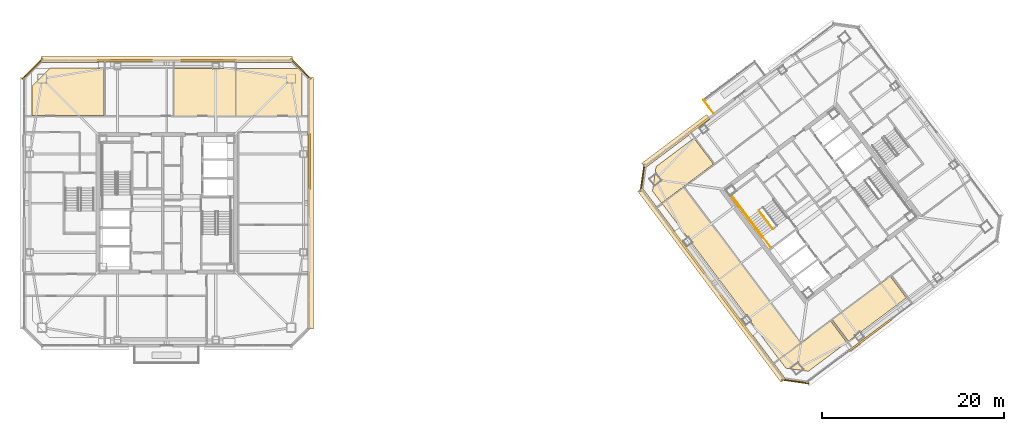
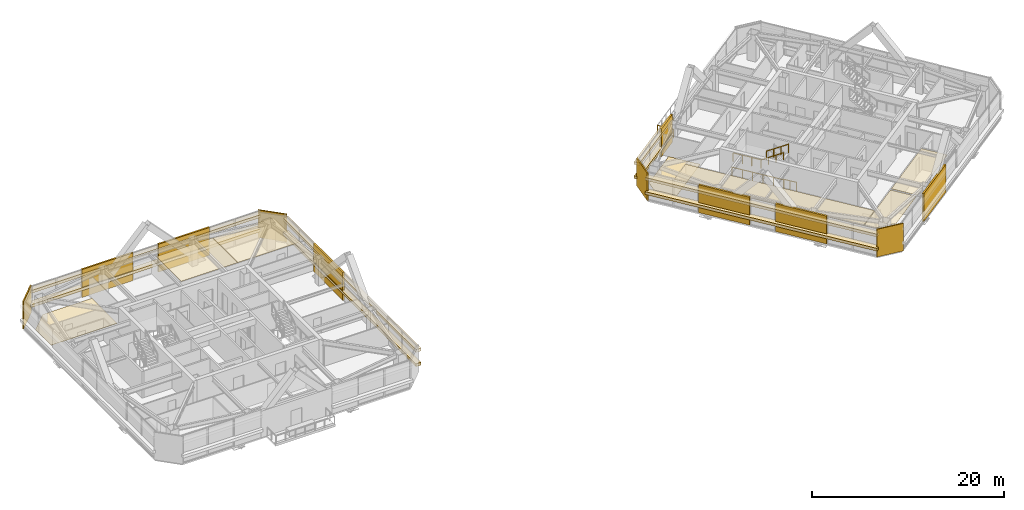
# One storey, part 37 of 39: 26 coverings, 6 railings.
"""IFC4 building model written with IfcOpenShell, lengths in metres."""

from ifc_helpers import new_model, si_unit, direction, frame, origin, origin_2d, place, context, subcontext, project, spatial, polyline, rectangle, outline, extrude, material, layer, layer_set, type_object, element, save


model = new_model("IFC4")

# Units and contexts
model_context = context("Model", 3, precision=1e-05, world=origin(), true_north=direction((0.0, 1.0)))
body_context = subcontext(model_context, "Body", "Model", "MODEL_VIEW")
ifc_project = project(units=[si_unit("LENGTHUNIT", "METRE"), si_unit("AREAUNIT", "SQUARE_METRE"), si_unit("VOLUMEUNIT", "CUBIC_METRE"), si_unit("PLANEANGLEUNIT", "RADIAN"), si_unit("MASSUNIT", "GRAM", prefix="KILO")], contexts=[model_context])

# Site, building, storey
site_placement = place(None, origin())
site = spatial("IfcSite", under=ifc_project, at=site_placement, CompositionType="ELEMENT")
building_placement = place(site_placement, origin())
building = spatial("IfcBuilding", under=site, at=building_placement, Name="Tashvorn Skyway Center", CompositionType="ELEMENT")
storey_placement = place(building_placement, frame((0.0, 0.0, 239.699951171875)))
storey = spatial("IfcBuildingStorey", under=building, at=storey_placement, Name="L65", CompositionType="ELEMENT", Elevation=239.699951171875)

# Coverings
ifc_material_1 = material(Name="Precast concrete C40/50", Category="concrete")
ifc_layer_1 = layer(ifc_material_1, 0.199951171875)
ifc_layer_set_1 = layer_set([ifc_layer_1], Name="Precast concrete C40/50")
covering_type_1 = type_object("IfcCoveringType", Name="COV-BRACE-CLAD", PredefinedType="CLADDING", material=ifc_layer_set_1)
for number, where, z_axis, x_axis, name in (
    (1, (37.40673828125, 47.679931640625, 0.0), (0.0, 0.0, 1.0), (1.0, 0.0, 0.0), "Tower 1 L65 North Unitised Curtain Wall Mega-Brace Cladding Band 1"),
    (2, (46.59326171875, 47.679931640625, 0.0), (0.0, 0.0, 1.0), (1.0, 0.0, 0.0), "Tower 1 L65 North Unitised Curtain Wall Mega-Brace Cladding Band 2"),
    (3, (57.679931640625, 36.59326171875, 0.0), (0.0, 0.0, 1.0), (0.0, -1.0, 0.0), "Tower 1 L65 East Unitised Curtain Wall Mega-Brace Cladding Band 1"),
):
    element("IfcCovering", number, at=place(storey_placement, frame(where, z_axis=z_axis, x_axis=x_axis)), inside=storey, type_object=covering_type_1, Name=name, PredefinedType="CLADDING", context=body_context, shape_type="SweptSolid", body=[
        extrude(rectangle(XDim=6.12451171875, YDim=0.199951171875, at=origin_2d()), origin(), (0.0, 0.0, 1.0), 3.550048828125),
    ])
for number, where, z_axis, x_axis, name in (
    (4, (119.43994140625, 17.47998046875, 0.0), (0.0, 0.0, 1.0), (-0.799999996291, -0.600000004945, 0.0), "Tower 2 L65 South Unitised Curtain Wall Mega-Brace Cladding Band 2"),
    (5, (104.7119140625, 19.583984375, 0.0), (0.0, 0.0, 1.0), (-0.600000004945, 0.799999996291, 0.0), "Tower 2 L65 West Unitised Curtain Wall Mega-Brace Cladding Band 1"),
    (6, (99.47998046875, 26.56005859375, 0.0), (0.0, 0.0, 1.0), (-0.600000004945, 0.799999996291, 0.0), "Tower 2 L65 West Unitised Curtain Wall Mega-Brace Cladding Band 2"),
):
    element("IfcCovering", number, at=place(storey_placement, frame(where, z_axis=z_axis, x_axis=x_axis)), inside=storey, type_object=covering_type_1, Name=name, PredefinedType="CLADDING", context=body_context, shape_type="SweptSolid", body=[
        extrude(rectangle(XDim=5.813232421875, YDim=0.199951171875, at=origin_2d()), origin(), (0.0, 0.0, 1.0), 3.550048828125),
    ])
covering_1_placement = place(storey_placement, frame((100.49462890625, 40.470947265625, 0.0), z_axis=(0.0, 0.0, 1.0), x_axis=(0.799999996291, 0.600000004945, 0.0)))
element("IfcCovering", 7, at=covering_1_placement, inside=storey, type_object=covering_type_1, Name="Tower 2 L65 North Curtain Wall L Mega-Brace Cladding Band 1", PredefinedType="CLADDING", context=body_context, shape_type="SweptSolid", body=[
    extrude(rectangle(XDim=2.943359375, YDim=0.199951171875, at=origin_2d()), origin(), (0.0, 0.0, 1.0), 3.550048828125),
])
ifc_material_2 = material(Name="Mineral-fibre acoustic ceiling tile on suspended grid")
ifc_layer_2 = layer(ifc_material_2, 0.02001953125)
ifc_layer_set_2 = layer_set([ifc_layer_2], Name="Mineral-fibre acoustic ceiling tile on suspended grid")
covering_type_2 = type_object("IfcCoveringType", Name="COV-CEIL-20", PredefinedType="CEILING", material=ifc_layer_set_2)
covering_2_placement = place(storey_placement, frame((0.0, 0.0, 2.703125)))
element("IfcCovering", 8, at=covering_2_placement, inside=storey, type_object=covering_type_2, Name="Tower 1 L65 Corporate Office Acoustic Ceiling", PredefinedType="CEILING", context=body_context, shape_type="SweptSolid", body=[
    extrude(outline(polyline([(42.800048828125, 41.570068359375), (49.60009765625, 41.570068359375), (49.60009765625, 46.800048828125), (42.800048828125, 46.800048828125), (42.800048828125, 41.570068359375)])), origin(), (0.0, 0.0, 1.0), 0.02001953125),
])
covering_3_placement = place(storey_placement, frame((0.0, 0.0, 2.703125)))
element("IfcCovering", 9, at=covering_3_placement, inside=storey, type_object=covering_type_2, Name="Tower 1 L65 Conference Room Acoustic Ceiling", PredefinedType="CEILING", context=body_context, shape_type="SweptSolid", body=[
    extrude(outline(polyline([(49.60009765625, 41.570068359375), (56.89990234375, 41.570068359375), (56.89990234375, 46.800048828125), (49.60009765625, 46.800048828125), (49.60009765625, 41.570068359375)])), origin(), (0.0, 0.0, 1.0), 0.02001953125),
])
covering_4_placement = place(storey_placement, frame((0.0, 0.0, 2.703125)))
element("IfcCovering", 10, at=covering_4_placement, inside=storey, type_object=covering_type_2, Name="Tower 2 L65 Gallery Showroom Acoustic Ceiling", PredefinedType="CEILING", context=body_context, shape_type="SweptSolid", body=[
    extrude(outline(polyline([(109.43994140625, 14.780029296875), (115.087890625, 19.01611328125), (116.85205078125, 16.6640625), (112.612060546875, 13.48388671875), (110.14794921875, 13.8359375), (109.43994140625, 14.780029296875)])), origin(), (0.0, 0.0, 1.0), 0.02001953125),
])
covering_5_placement = place(storey_placement, frame((0.0, 0.0, 2.703125)))
element("IfcCovering", 11, at=covering_5_placement, inside=storey, type_object=covering_type_2, Name="Tower 2 L65 Reading Lounge Acoustic Ceiling", PredefinedType="CEILING", context=body_context, shape_type="SweptSolid", body=[
    extrude(outline(polyline([(115.280029296875, 19.159912109375), (121.64794921875, 23.93603515625), (123.412109375, 21.583984375), (117.0439453125, 16.80810546875), (115.280029296875, 19.159912109375)])), origin(), (0.0, 0.0, 1.0), 0.02001953125),
])
covering_6_placement = place(storey_placement, frame((0.0, 0.0, 2.703125)))
element("IfcCovering", 12, at=covering_6_placement, inside=storey, type_object=covering_type_2, Name="Tower 2 L65 Public Restroom Acoustic Ceiling", PredefinedType="CEILING", context=body_context, shape_type="SweptSolid", body=[
    extrude(outline(polyline([(109.39990234375, 14.800048828125), (111.800048828125, 16.60009765625), (98.929931640625, 33.760009765625), (96.530029296875, 31.9599609375), (109.39990234375, 14.800048828125)])), origin(), (0.0, 0.0, 1.0), 0.02001953125),
])
ifc_material_3 = material(Name="Polished Mojave desert-aggregate terrazzo and cover plate")
ifc_layer_3 = layer(ifc_material_3, 0.0400390625)
ifc_layer_set_3 = layer_set([ifc_layer_3], Name="Polished Mojave desert-aggregate terrazzo and cover plate")
covering_type_3 = type_object("IfcCoveringType", Name="COV-FLR-40", PredefinedType="FLOORING", material=ifc_layer_set_3)
covering_7_placement = place(storey_placement, origin())
element("IfcCovering", 13, at=covering_7_placement, inside=storey, type_object=covering_type_3, Name="Tower 1 L65 Gallery Showroom Finish Flooring", PredefinedType="FLOORING", context=body_context, shape_type="SweptSolid", body=[
    extrude(outline(polyline([(35.1201171875, 41.64990234375), (27.179931640625, 41.64990234375), (27.179931640625, 44.8798828125), (29.199951171875, 46.89990234375), (35.1201171875, 46.89990234375), (35.1201171875, 41.64990234375)])), origin(), (0.0, 0.0, 1.0), 0.0400390625),
])
covering_8_placement = place(storey_placement, origin())
element("IfcCovering", 14, at=covering_8_placement, inside=storey, type_object=covering_type_3, Name="Tower 2 L65 Gallery Showroom Finish Flooring", PredefinedType="FLOORING", context=body_context, shape_type="SweptSolid", body=[
    extrude(outline(polyline([(102.177978515625, 36.2958984375), (96.466064453125, 32.011962890625), (95.47607421875, 33.33203125), (95.860107421875, 36.02001953125), (100.035888671875, 39.152099609375), (102.177978515625, 36.2958984375)])), origin(), (0.0, 0.0, 1.0), 0.0400390625),
])
ifc_material_4 = material(Name="Perforated ceramic-coated bronze aluminium solar screen", Category="aluminium")
ifc_layer_4 = layer(ifc_material_4, 0.85009765625)
ifc_layer_set_4 = layer_set([ifc_layer_4], Name="Perforated ceramic-coated bronze aluminium solar screen")
covering_type_4 = type_object("IfcCoveringType", Name="COV-SOLAR-BAND", PredefinedType="CLADDING", material=ifc_layer_set_4)
for number, where, z_axis, x_axis, name in (
    (15, (42.0, 47.820068359375, 0.919921875), (0.0, 0.0, 1.0), (1.0, 0.0, 0.0), "L65 Perforated Ceramic-Metal Solar Screen Louvre Band North 1"),
    (16, (42.0, 47.820068359375, 2.72021484375), (0.0, 0.0, 1.0), (1.0, 0.0, 0.0), "L65 Perforated Ceramic-Metal Solar Screen Louvre Band North 2"),
    (17, (57.820068359375, 32.0, 0.919921875), (0.0, 0.0, 1.0), (0.0, -1.0, 0.0), "L65 Perforated Ceramic-Metal Solar Screen Louvre Band East 1"),
    (18, (57.820068359375, 32.0, 2.72021484375), (0.0, 0.0, 1.0), (0.0, -1.0, 0.0), "L65 Perforated Ceramic-Metal Solar Screen Louvre Band East 2"),
):
    element("IfcCovering", number, at=place(storey_placement, frame(where, z_axis=z_axis, x_axis=x_axis)), inside=storey, type_object=covering_type_4, Name=name, PredefinedType="CLADDING", context=body_context, shape_type="SweptSolid", body=[
        extrude(rectangle(XDim=27.679931640625, YDim=0.639892578125, at=origin_2d()), origin(), (0.0, 0.0, 1.0), 0.360107421875),
    ])
for number, where, z_axis, x_axis, name in (
    (19, (101.98388671875, 22.988037109375, 0.919921875), (0.0, 0.0, 1.0), (-0.600000004945, 0.799999996291, 0.0), "L65 Perforated Ceramic-Metal Solar Screen Louvre Band West 1"),
    (20, (101.98388671875, 22.988037109375, 2.72021484375), (0.0, 0.0, 1.0), (-0.600000004945, 0.799999996291, 0.0), "L65 Perforated Ceramic-Metal Solar Screen Louvre Band West 2"),
):
    element("IfcCovering", number, at=place(storey_placement, frame(where, z_axis=z_axis, x_axis=x_axis)), inside=storey, type_object=covering_type_4, Name=name, PredefinedType="CLADDING", context=body_context, shape_type="SweptSolid", body=[
        extrude(rectangle(XDim=26.280029296875, YDim=0.639892578125, at=origin_2d()), origin(), (0.0, 0.0, 1.0), 0.360107421875),
    ])
for number, where, z_axis, x_axis, name in (
    (21, (98.055908203125, 38.81689453125, 0.919921875), (0.0, 0.0, 1.0), (0.799999996291, 0.600000004945, 0.0), "L65 Perforated Ceramic-Metal Solar Screen Louvre Band North 1"),
    (22, (98.055908203125, 38.81689453125, 2.72021484375), (0.0, 0.0, 1.0), (0.799999996291, 0.600000004945, 0.0), "L65 Perforated Ceramic-Metal Solar Screen Louvre Band North 2"),
):
    element("IfcCovering", number, at=place(storey_placement, frame(where, z_axis=z_axis, x_axis=x_axis)), inside=storey, type_object=covering_type_4, Name=name, PredefinedType="CLADDING", context=body_context, shape_type="SweptSolid", body=[
        extrude(rectangle(XDim=8.949951171875, YDim=0.639892578125, at=origin_2d()), origin(), (0.0, 0.0, 1.0), 0.360107421875),
    ])
ifc_layer_5 = layer(ifc_material_1, 0.35009765625)
ifc_layer_set_5 = layer_set([ifc_layer_5], Name="Precast concrete C40/50")
covering_type_5 = type_object("IfcCoveringType", Name="COV-STONE-TRIM", PredefinedType="CLADDING", material=ifc_layer_set_5)
for number, where, z_axis, x_axis, name in (
    (23, (27.22998046875, 46.77001953125, 0.02001953125), (0.0, 0.0, 1.0), (-0.707106781187, -0.707106781187, 0.0), "Tower 1 L65 NW Mojave Limestone Corner Quoin"),
    (24, (56.77001953125, 46.77001953125, 0.02001953125), (0.0, 0.0, 1.0), (0.707106781187, -0.707106781187, 0.0), "Tower 1 L65 NE Mojave Limestone Corner Quoin"),
):
    element("IfcCovering", number, at=place(storey_placement, frame(where, z_axis=z_axis, x_axis=x_axis)), inside=storey, type_object=covering_type_5, Name=name, PredefinedType="CLADDING", context=body_context, shape_type="SweptSolid", body=[
        extrude(rectangle(XDim=3.1298828125, YDim=0.139892578125, at=origin_2d()), origin(), (0.0, 0.0, 1.0), 3.510009765625),
    ])
for number, where, z_axis, x_axis, name in (
    (25, (111.196044921875, 12.3720703125, 0.02001953125), (0.0, 0.0, 1.0), (-0.989949494535, 0.141421350118, 0.0), "Tower 2 L65 SW Mojave Limestone Corner Quoin"),
    (26, (94.3720703125, 34.803955078125, 0.02001953125), (0.0, 0.0, 1.0), (-0.141421350118, -0.989949494535, 0.0), "Tower 2 L65 NW Mojave Limestone Corner Quoin"),
):
    element("IfcCovering", number, at=place(storey_placement, frame(where, z_axis=z_axis, x_axis=x_axis)), inside=storey, type_object=covering_type_5, Name=name, PredefinedType="CLADDING", context=body_context, shape_type="SweptSolid", body=[
        extrude(rectangle(XDim=2.98828125, YDim=0.139892578125, at=origin_2d()), origin(), (0.0, 0.0, 1.0), 3.510009765625),
    ])

# Railings
ifc_material_5 = material(Name="Galvanized steel S355", Category="steel")
railing_type_1 = type_object("IfcRailingType", Name="RAIL-GUARD-1120", PredefinedType="GUARDRAIL", material=ifc_material_5)
railing_1_placement = place(storey_placement, frame((102.18408203125, 41.887939453125, 0.0)))
element("IfcRailing", 27, at=railing_1_placement, inside=storey, type_object=railing_type_1, Name="L65 Tower 2 Terrace Guardrail 01", PredefinedType="GUARDRAIL", context=body_context, shape_type="SweptSolid", body=[
    extrude(rectangle(XDim=0.048095703125, YDim=0.048095703125, at=origin_2d()), frame((0.0, 0.0, 1.09619140625), z_axis=(-0.6, 0.8, 0.0), x_axis=(-0.8, -0.6, 0.0)), (0.0, 0.0, 1.0), 1.820068359375),
    extrude(rectangle(XDim=0.0419921875, YDim=0.0419921875, at=origin_2d()), origin(), (0.0, 0.0, 1.0), 1.072021484375),
    extrude(rectangle(XDim=0.0419921875, YDim=0.0419921875, at=origin_2d()), frame((-0.5458984375, 0.72802734375, 0.0)), (0.0, 0.0, 1.0), 1.072021484375),
    extrude(rectangle(XDim=0.0419921875, YDim=0.0419921875, at=origin_2d()), frame((-1.092041015625, 1.4560546875, 0.0)), (0.0, 0.0, 1.0), 1.072021484375),
])
ifc_material_6 = material(Name="Brushed stainless steel 316", Category="steel")
railing_type_2 = type_object("IfcRailingType", Name="RAIL-HAND-920", PredefinedType="HANDRAIL", material=ifc_material_6)
railing_2_placement = place(storey_placement, frame((106.072021484375, 30.35400390625, 1.95263671875)))
element("IfcRailing", 28, at=railing_2_placement, inside=storey, type_object=railing_type_2, Name="L65 ST-T2-1 stair handrail 2", PredefinedType="HANDRAIL", context=body_context, shape_type="SweptSolid", body=[
    extrude(rectangle(XDim=0.048095703125, YDim=0.048095703125, at=origin_2d()), frame((0.0, 0.0, 0.8759765625), z_axis=(0.506740800098, -0.675708949977, 0.535379469569), x_axis=(0.800023250257, 0.599968998406, 0.0)), (0.0, 0.0, 1.0), 2.983642578125),
    extrude(rectangle(XDim=0.0419921875, YDim=0.0419921875, at=origin_2d()), origin(), (0.0, 0.0, 1.0), 0.851806640625),
    extrude(rectangle(XDim=0.0419921875, YDim=0.0419921875, at=origin_2d()), frame((0.50390625, -0.672119140625, 0.532470703125)), (0.0, 0.0, 1.0), 0.851806640625),
    extrude(rectangle(XDim=0.0419921875, YDim=0.0419921875, at=origin_2d()), frame((1.008056640625, -1.343994140625, 1.06494140625)), (0.0, 0.0, 1.0), 0.851806640625),
    extrude(rectangle(XDim=0.0419921875, YDim=0.0419921875, at=origin_2d()), frame((1.511962890625, -2.01611328125, 1.597412109375)), (0.0, 0.0, 1.0), 0.851806640625),
])
ifc_material_7 = material(Name="Painted galvanized steel S355", Category="steel")
railing_type_3 = type_object("IfcRailingType", Name="RAIL-STGUARD-1100", PredefinedType="GUARDRAIL", material=ifc_material_7)
railing_3_placement = place(storey_placement, frame((106.072021484375, 30.35400390625, 1.775146484375)))
element("IfcRailing", 29, at=railing_3_placement, inside=storey, type_object=railing_type_3, Name="L65 ST-T2-1 stair guard 3", PredefinedType="GUARDRAIL", context=body_context, shape_type="SweptSolid", body=[
    extrude(rectangle(XDim=0.048095703125, YDim=0.048095703125, at=origin_2d()), frame((0.0, 0.0, 1.076171875), z_axis=(-0.599987638607, 0.800009270896, 0.0), x_axis=(-0.800009270896, -0.599987638607, 0.0)), (0.0, 0.0, 1.0), 3.16015625),
    extrude(rectangle(XDim=0.0419921875, YDim=0.0419921875, at=origin_2d()), origin(), (0.0, 0.0, 1.0), 1.052001953125),
    extrude(rectangle(XDim=0.0419921875, YDim=0.0419921875, at=origin_2d()), frame((-0.632080078125, 0.8427734375, 0.0)), (0.0, 0.0, 1.0), 1.052001953125),
    extrude(rectangle(XDim=0.0419921875, YDim=0.0419921875, at=origin_2d()), frame((-1.263916015625, 1.685302734375, 0.0)), (0.0, 0.0, 1.0), 1.052001953125),
    extrude(rectangle(XDim=0.0419921875, YDim=0.0419921875, at=origin_2d()), frame((-1.89599609375, 2.528076171875, 0.0)), (0.0, 0.0, 1.0), 1.052001953125),
])
railing_4_placement = place(storey_placement, frame((107.19189453125, 31.194091796875, 1.95263671875)))
element("IfcRailing", 30, at=railing_4_placement, inside=storey, type_object=railing_type_3, Name="L65 ST-T2-1 stair guard 4", PredefinedType="GUARDRAIL", context=body_context, shape_type="SweptSolid", body=[
    extrude(rectangle(XDim=0.048095703125, YDim=0.048095703125, at=origin_2d()), frame((0.0, 0.0, 1.076171875), z_axis=(0.506801609611, -0.675680931896, 0.535357270211), x_axis=(0.799976749893, 0.600030998891, 0.0)), (0.0, 0.0, 1.0), 2.98388671875),
    extrude(rectangle(XDim=0.0419921875, YDim=0.0419921875, at=origin_2d()), origin(), (0.0, 0.0, 1.0), 1.052001953125),
    extrude(rectangle(XDim=0.0419921875, YDim=0.0419921875, at=origin_2d()), frame((0.504150390625, -0.672119140625, 0.532470703125)), (0.0, 0.0, 1.0), 1.052001953125),
    extrude(rectangle(XDim=0.0419921875, YDim=0.0419921875, at=origin_2d()), frame((1.008056640625, -1.343994140625, 1.06494140625)), (0.0, 0.0, 1.0), 1.052001953125),
    extrude(rectangle(XDim=0.0419921875, YDim=0.0419921875, at=origin_2d()), frame((1.51220703125, -2.01611328125, 1.597412109375)), (0.0, 0.0, 1.0), 1.052001953125),
])
railing_5_placement = place(storey_placement, frame((108.49609375, 27.1220703125, 0.0)))
element("IfcRailing", 31, at=railing_5_placement, inside=storey, type_object=railing_type_3, Name="L65 ST-T2-1 stair guard 6", PredefinedType="GUARDRAIL", context=body_context, shape_type="SweptSolid", body=[
    extrude(rectangle(XDim=0.048095703125, YDim=0.048095703125, at=origin_2d()), frame((0.0, 0.0, 1.076171875), z_axis=(-0.600102796382, 0.799922892393, 0.0), x_axis=(-0.799922892393, -0.600102796382, 0.0)), (0.0, 0.0, 1.0), 1.52001953125),
    extrude(rectangle(XDim=0.0419921875, YDim=0.0419921875, at=origin_2d()), origin(), (0.0, 0.0, 1.0), 1.052001953125),
    extrude(rectangle(XDim=0.0419921875, YDim=0.0419921875, at=origin_2d()), frame((-0.4560546875, 0.60791015625, 0.0)), (0.0, 0.0, 1.0), 1.052001953125),
    extrude(rectangle(XDim=0.0419921875, YDim=0.0419921875, at=origin_2d()), frame((-0.912109375, 1.2158203125, 0.0)), (0.0, 0.0, 1.0), 1.052001953125),
])
railing_6_placement = place(storey_placement, frame((107.56396484375, 28.197998046875, 0.0)))
element("IfcRailing", 32, at=railing_6_placement, inside=storey, type_object=railing_type_3, Name="L65 ST-T2-1 stair guard 7", PredefinedType="GUARDRAIL", context=body_context, shape_type="SweptSolid", body=[
    extrude(rectangle(XDim=0.048095703125, YDim=0.048095703125, at=origin_2d()), frame((0.0, 0.0, 1.076171875), z_axis=(-0.6, 0.8, 0.0), x_axis=(-0.8, -0.6, 0.0)), (0.0, 0.0, 1.0), 5.880126953125),
    extrude(rectangle(XDim=0.0419921875, YDim=0.0419921875, at=origin_2d()), origin(), (0.0, 0.0, 1.0), 1.052001953125),
    extrude(rectangle(XDim=0.0419921875, YDim=0.0419921875, at=origin_2d()), frame((-0.70556640625, 0.94091796875, 0.0)), (0.0, 0.0, 1.0), 1.052001953125),
    extrude(rectangle(XDim=0.0419921875, YDim=0.0419921875, at=origin_2d()), frame((-1.4111328125, 1.881591796875, 0.0)), (0.0, 0.0, 1.0), 1.052001953125),
    extrude(rectangle(XDim=0.0419921875, YDim=0.0419921875, at=origin_2d()), frame((-2.116943359375, 2.822509765625, 0.0)), (0.0, 0.0, 1.0), 1.052001953125),
    extrude(rectangle(XDim=0.0419921875, YDim=0.0419921875, at=origin_2d()), frame((-2.822509765625, 3.76318359375, 0.0)), (0.0, 0.0, 1.0), 1.052001953125),
    extrude(rectangle(XDim=0.0419921875, YDim=0.0419921875, at=origin_2d()), frame((-3.528076171875, 4.7041015625, 0.0)), (0.0, 0.0, 1.0), 1.052001953125),
])

save(model, "model.ifc")
